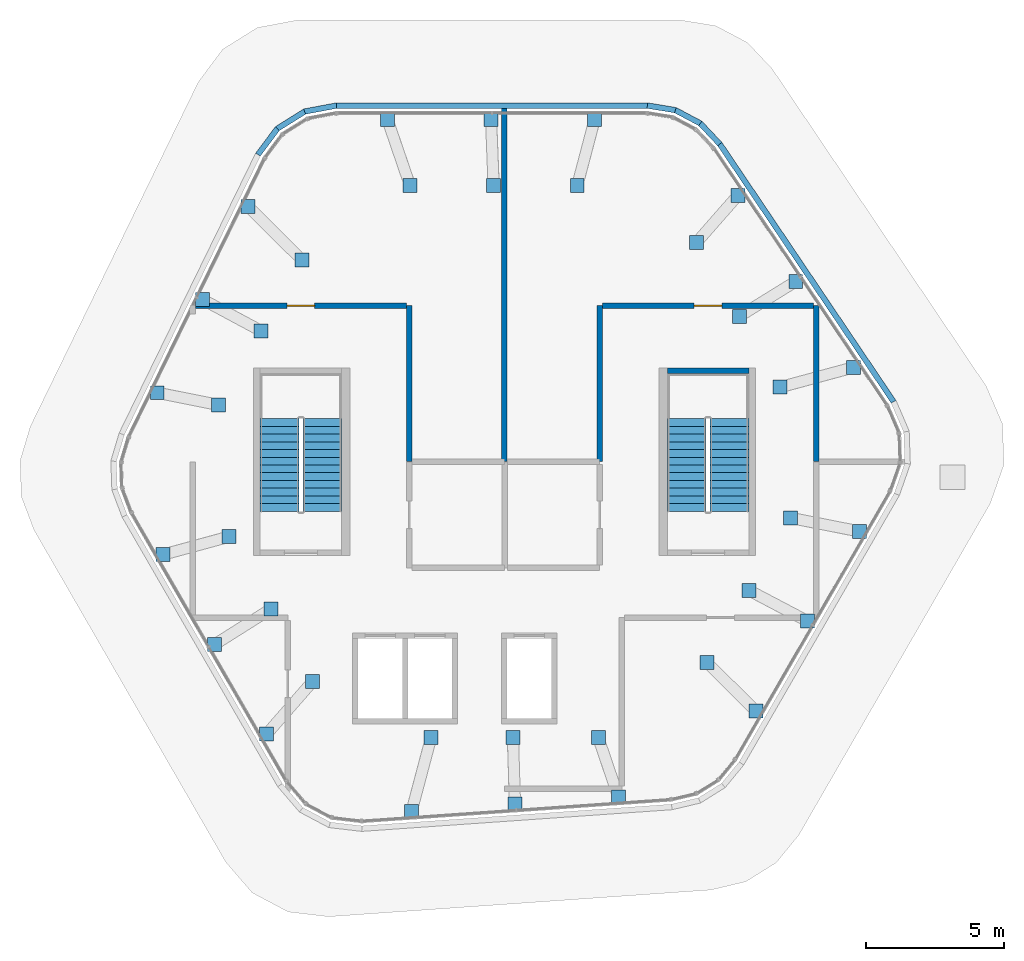
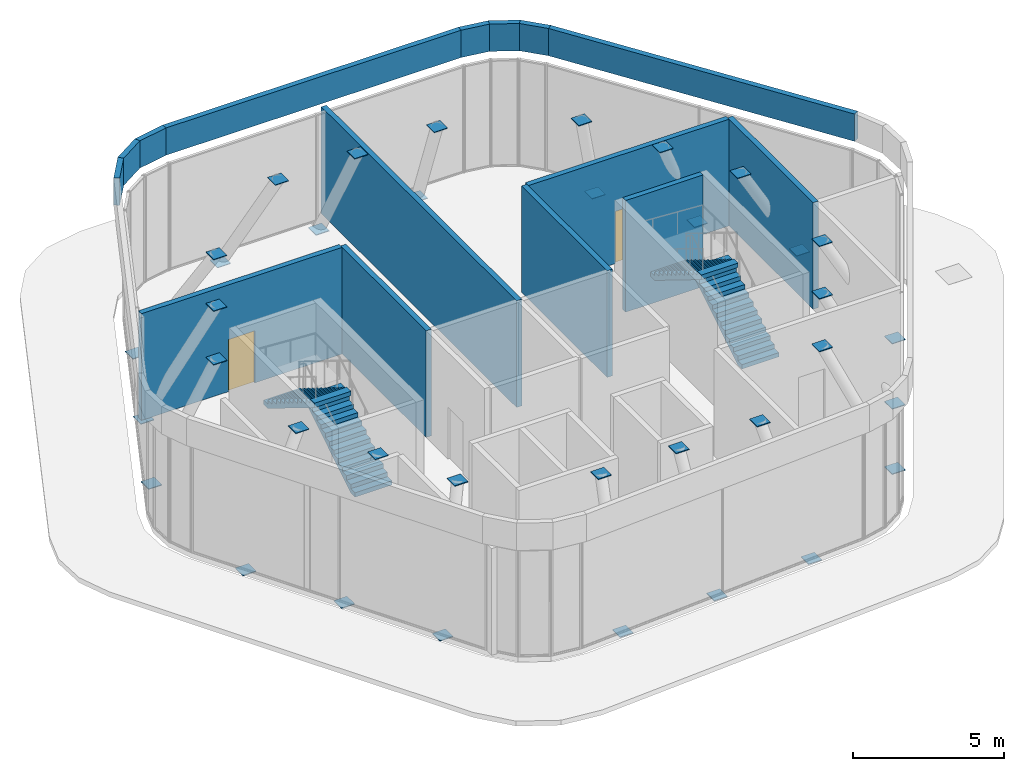
# One storey, part 8 of 9: 36 discrete accessories, 15 walls, 4 stair flights, 2 doors, 2 openings, 2 elements without a shape of their own.
"""IFC4 building model written with IfcOpenShell, lengths in metres."""

from ifc_helpers import new_model, si_unit, direction, frame, frame_2d, origin, origin_2d, place, context, subcontext, project, spatial, polyline, rectangle, outline, extrude, material, layer, layer_set, type_object, element, fill, aggregate, save


model = new_model("IFC4")

# Units and contexts
model_context = context("Model", 3, precision=1e-05, world=origin(), true_north=direction((0.0, 1.0)))
body_context = subcontext(model_context, "Body", "Model", "MODEL_VIEW")
ifc_project = project(units=[si_unit("LENGTHUNIT", "METRE"), si_unit("AREAUNIT", "SQUARE_METRE"), si_unit("VOLUMEUNIT", "CUBIC_METRE"), si_unit("PLANEANGLEUNIT", "RADIAN"), si_unit("MASSUNIT", "GRAM", prefix="KILO")], contexts=[model_context])

# Site, building, storey
site_placement = place(None, origin())
site = spatial("IfcSite", under=ifc_project, at=site_placement, CompositionType="ELEMENT")
building_placement = place(site_placement, origin())
building = spatial("IfcBuilding", under=site, at=building_placement, Name="Tarnside Tower", CompositionType="ELEMENT")
storey_placement = place(building_placement, frame((0.0, 0.0, 401.699951171875)))
storey = spatial("IfcBuildingStorey", under=building, at=storey_placement, Name="L95", CompositionType="ELEMENT", Elevation=401.699951171875)

# Walls
ifc_material_1 = material(Name="Concrete C40/50", Category="concrete")
ifc_layer_1 = layer(ifc_material_1, 0.199951171875)
ifc_layer_set_1 = layer_set([ifc_layer_1], Name="Lift shaft wall 200 C40/50")
wall_type_1 = type_object("IfcWallType", Name="Lift shaft wall 200 C40/50", PredefinedType="SHEAR", material=ifc_layer_set_1)
wall_1_placement = place(storey_placement, frame((5.89990234375, 3.300048828125, -0.199951171875), z_axis=(0.0, 0.0, 1.0), x_axis=(1.0, 0.0, 0.0)))
element("IfcWall", 1, at=wall_1_placement, inside=storey, type_object=wall_type_1, Name="L95 stair 1 enclosure cap wall n", PredefinedType="SHEAR", context=body_context, shape_type="SweptSolid", body=[
    extrude(rectangle(XDim=2.9501953125, YDim=0.199951171875, at=frame_2d((1.47509765625, 0.0))), origin(), (0.0, 0.0, 1.0), 4.5),
])
ifc_material_2 = material(Name="Concrete C35/45 precast", Category="concrete")
ifc_layer_2 = layer(ifc_material_2, 0.199951171875)
ifc_layer_set_2 = layer_set([ifc_layer_2], Name="Parapet 200 x 1100")
wall_type_2 = type_object("IfcWallType", Name="Parapet 200 x 1100", PredefinedType="PARAPET", material=ifc_layer_set_2)
wall_2_placement = place(storey_placement, frame((5.176025390625, 12.89990234375, 4.5), z_axis=(0.0, 0.0, 1.0), x_axis=(0.986756818481, -0.162206600298, 0.0)))
element("IfcWall", 2, at=wall_2_placement, inside=storey, type_object=wall_type_2, Name="Roof parapet 01", PredefinedType="PARAPET", context=body_context, shape_type="SweptSolid", body=[
    extrude(outline(polyline([(0.008056640625, -0.10009765625), (1.01318359375, -0.10009765625), (1.0458984375, 0.10009765625), (-0.008056640625, 0.10009765625), (0.008056640625, -0.10009765625)])), origin(), (0.0, 0.0, 1.0), 1.10009765625),
])
wall_3_placement = place(storey_placement, frame((6.19189453125, 12.73291015625, 4.5), z_axis=(0.0, 0.0, 1.0), x_axis=(0.883060001067, -0.469260092608, 0.0)))
element("IfcWall", 3, at=wall_3_placement, inside=storey, type_object=wall_type_2, Name="Roof parapet 02", PredefinedType="PARAPET", context=body_context, shape_type="SweptSolid", body=[
    extrude(outline(polyline([(0.016357421875, -0.10009765625), (1.0048828125, -0.10009765625), (1.03759765625, 0.10009765625), (-0.016357421875, 0.10009765625), (0.016357421875, -0.10009765625)])), origin(), (0.0, 0.0, 1.0), 1.10009765625),
])
wall_4_placement = place(storey_placement, frame((7.09375, 12.253662109375, 4.5), z_axis=(0.0, 0.0, 1.0), x_axis=(0.686177819421, -0.727433845882, 0.0)))
element("IfcWall", 4, at=wall_4_placement, inside=storey, type_object=wall_type_2, Name="Roof parapet 03", PredefinedType="PARAPET", context=body_context, shape_type="SweptSolid", body=[
    extrude(outline(polyline([(0.016357421875, -0.10009765625), (1.021728515625, -0.10009765625), (1.037841796875, 0.10009765625), (-0.016357421875, 0.10009765625), (0.016357421875, -0.10009765625)])), origin(), (0.0, 0.0, 1.0), 1.10009765625),
])
wall_5_placement = place(storey_placement, frame((7.80029296875, 11.504638671875, 4.5), z_axis=(0.0, 0.0, 1.0), x_axis=(0.559185688325, -0.829042439186, 0.0)))
element("IfcWall", 5, at=wall_5_placement, inside=storey, type_object=wall_type_2, Name="Roof parapet 04", PredefinedType="PARAPET", context=body_context, shape_type="SweptSolid", body=[
    extrude(outline(polyline([(0.008056640625, -0.10009765625), (11.249755859375, -0.10009765625), (11.268310546875, 0.10009765625), (-0.008056640625, 0.10009765625), (0.008056640625, -0.10009765625)])), origin(), (0.0, 0.0, 1.0), 1.10009765625),
])
wall_6_placement = place(storey_placement, frame((-8.927734375, 11.12255859375, 4.5), z_axis=(0.0, 0.0, 1.0), x_axis=(0.597203575661, 0.802089701479, 0.0)))
element("IfcWall", 6, at=wall_6_placement, inside=storey, type_object=wall_type_2, Name="Roof parapet 21", PredefinedType="PARAPET", context=body_context, shape_type="SweptSolid", body=[
    extrude(outline(polyline([(0.00927734375, -0.10009765625), (1.156005859375, -0.10009765625), (1.193603515625, 0.10009765625), (-0.00927734375, 0.10009765625), (0.00927734375, -0.10009765625)])), origin(), (0.0, 0.0, 1.0), 1.10009765625),
])
wall_7_placement = place(storey_placement, frame((-8.22607421875, 12.06494140625, 4.5), z_axis=(0.0, 0.0, 1.0), x_axis=(0.847998304005, 0.529998940003, 0.0)))
element("IfcWall", 7, at=wall_7_placement, inside=storey, type_object=wall_type_2, Name="Roof parapet 22", PredefinedType="PARAPET", context=body_context, shape_type="SweptSolid", body=[
    extrude(outline(polyline([(0.018798828125, -0.10009765625), (1.146728515625, -0.10009765625), (1.184326171875, 0.10009765625), (-0.018798828125, 0.10009765625), (0.018798828125, -0.10009765625)])), origin(), (0.0, 0.0, 1.0), 1.10009765625),
])
wall_8_placement = place(storey_placement, frame((-7.23779296875, 12.6826171875, 4.5), z_axis=(0.0, 0.0, 1.0), x_axis=(0.982747274219, 0.184953494196, 0.0)))
element("IfcWall", 8, at=wall_8_placement, inside=storey, type_object=wall_type_2, Name="Roof parapet 23", PredefinedType="PARAPET", context=body_context, shape_type="SweptSolid", body=[
    extrude(outline(polyline([(0.018798828125, -0.10009765625), (1.16552734375, -0.10009765625), (1.18408203125, 0.10009765625), (-0.018798828125, 0.10009765625), (0.018798828125, -0.10009765625)])), origin(), (0.0, 0.0, 1.0), 1.10009765625),
])
wall_9_placement = place(storey_placement, frame((-6.083251953125, 12.89990234375, 4.5), z_axis=(0.0, 0.0, 1.0), x_axis=(1.0, 0.0, 0.0)))
element("IfcWall", 9, at=wall_9_placement, inside=storey, type_object=wall_type_2, Name="Roof parapet 24", PredefinedType="PARAPET", context=body_context, shape_type="SweptSolid", body=[
    extrude(outline(polyline([(0.00927734375, -0.10009765625), (11.251220703125, -0.10009765625), (11.267333984375, 0.10009765625), (-0.00927734375, 0.10009765625), (0.00927734375, -0.10009765625)])), origin(), (0.0, 0.0, 1.0), 1.10009765625),
])
ifc_material_3 = material(Name="Concrete C32/40", Category="concrete")
ifc_layer_3 = layer(ifc_material_3, 0.199951171875)
ifc_layer_set_3 = layer_set([ifc_layer_3], Name="Wall 200 reinforced Concrete C32/40")
wall_type_3 = type_object("IfcWallType", Name="Wall 200 reinforced Concrete C32/40", PredefinedType="PARTITIONING", material=ifc_layer_set_3)
wall_10_placement = place(storey_placement, frame((-3.449951171875, 0.0029296875, 0.0), z_axis=(0.0, 0.0, 1.0), x_axis=(0.0, 1.0, 0.0)))
element("IfcWall", 10, at=wall_10_placement, inside=storey, type_object=wall_type_3, Name="Partition 006", PredefinedType="PARTITIONING", context=body_context, shape_type="SweptSolid", body=[
    extrude(rectangle(XDim=5.64697265625, YDim=0.199951171875, at=frame_2d((2.823486328125, 0.0))), origin(), (0.0, 0.0, 1.0), 4.300048828125),
])

# Wall, opening, door
wall_11_placement = place(storey_placement, frame((-11.199951171875, 5.64990234375, 0.0), z_axis=(0.0, 0.0, 1.0), x_axis=(1.0, 0.0, 0.0)))
wall_11 = element("IfcWall", 11, at=wall_11_placement, inside=storey, type_object=wall_type_3, Name="Partition 007", PredefinedType="PARTITIONING", context=body_context, shape_type="SweptSolid", body=[
    extrude(rectangle(XDim=7.64990234375, YDim=0.199951171875, at=frame_2d((3.824951171875, 0.0))), origin(), (0.0, 0.0, 1.0), 4.300048828125),
])
opening_1_placement = place(wall_11_placement, frame((3.324951171875, 0.0, 0.0)))
opening_1 = element("IfcOpeningElement", 12, at=opening_1_placement, cuts=wall_11, Name="Opening D1000F60", PredefinedType="OPENING", context=body_context, shape_type="SweptSolid", body=[
    extrude(rectangle(XDim=1.0, YDim=2.10009765625, at=frame_2d((0.5, 1.050048828125))), frame((0.0, 0.10986328125, 0.0), z_axis=(0.0, -1.0, 0.0), x_axis=(1.0, 0.0, 0.0)), (0.0, 0.0, 1.0), 0.219970703125),
])
ifc_material_4 = material(Name="Timber door leaf", Category="wood")
door_type = type_object("IfcDoorType", Name="Door 1000 x 2100 single leaf FD60 fire door", OperationType="NOTDEFINED", PredefinedType="DOOR", material=ifc_material_4)
door_1_placement = place(opening_1_placement, origin())
door_1 = element("IfcDoor", 13, at=door_1_placement, inside=storey, type_object=door_type, Name="Door L95-03", OperationType="SINGLE_SWING_RIGHT", OverallHeight=2.10009765625, OverallWidth=1.0, PredefinedType="DOOR", context=body_context, shape_type="SweptSolid", body=[
    extrude(rectangle(XDim=1.0, YDim=2.10009765625, at=frame_2d((0.5, 1.050048828125))), frame((0.0, 0.02490234375, 0.0), z_axis=(0.0, -1.0, 0.0), x_axis=(1.0, 0.0, 0.0)), (0.0, 0.0, 1.0), 0.050048828125),
])
fill(opening_1, door_1)

# Walls
wall_12_placement = place(storey_placement, frame((-0.0029296875, 12.89990234375, 0.0), z_axis=(0.0, 0.0, 1.0), x_axis=(0.0, -1.0, 0.0)))
element("IfcWall", 14, at=wall_12_placement, inside=storey, type_object=wall_type_3, Name="Partition 009", PredefinedType="PARTITIONING", context=body_context, shape_type="SweptSolid", body=[
    extrude(rectangle(XDim=12.89697265625, YDim=0.199951171875, at=frame_2d((6.448486328125, 0.0))), origin(), (0.0, 0.0, 1.0), 4.300048828125),
])
for number, where, z_axis, x_axis, name in (
    (15, (3.449951171875, 5.64990234375, 0.0), (0.0, 0.0, 1.0), (0.0, -1.0, 0.0), "Partition 015"),
    (16, (11.300048828125, 0.0029296875, 0.0), (0.0, 0.0, 1.0), (0.0, 1.0, 0.0), "Partition 020"),
):
    element("IfcWall", number, at=place(storey_placement, frame(where, z_axis=z_axis, x_axis=x_axis)), inside=storey, type_object=wall_type_3, Name=name, PredefinedType="PARTITIONING", context=body_context, shape_type="SweptSolid", body=[
        extrude(rectangle(XDim=5.64697265625, YDim=0.199951171875, at=frame_2d((2.823486328125, 0.0))), origin(), (0.0, 0.0, 1.0), 4.300048828125),
    ])

# Wall, opening, door
wall_13_placement = place(storey_placement, frame((3.550048828125, 5.64990234375, 0.0), z_axis=(0.0, 0.0, 1.0), x_axis=(1.0, 0.0, 0.0)))
wall_13 = element("IfcWall", 17, at=wall_13_placement, inside=storey, type_object=wall_type_3, Name="Partition 021", PredefinedType="PARTITIONING", context=body_context, shape_type="SweptSolid", body=[
    extrude(rectangle(XDim=7.64990234375, YDim=0.199951171875, at=frame_2d((3.824951171875, 0.0))), origin(), (0.0, 0.0, 1.0), 4.300048828125),
])
opening_2_placement = place(wall_13_placement, frame((3.324951171875, 0.0, 0.0)))
opening_2 = element("IfcOpeningElement", 18, at=opening_2_placement, cuts=wall_13, Name="Opening D1000F60", PredefinedType="OPENING", context=body_context, shape_type="SweptSolid", body=[
    extrude(rectangle(XDim=1.0, YDim=2.10009765625, at=frame_2d((0.5, 1.050048828125))), frame((0.0, 0.10986328125, 0.0), z_axis=(0.0, -1.0, 0.0), x_axis=(1.0, 0.0, 0.0)), (0.0, 0.0, 1.0), 0.219970703125),
])
door_2_placement = place(opening_2_placement, origin())
door_2 = element("IfcDoor", 19, at=door_2_placement, inside=storey, type_object=door_type, Name="Door L95-06", OperationType="SINGLE_SWING_LEFT", OverallHeight=2.10009765625, OverallWidth=1.0, PredefinedType="DOOR", context=body_context, shape_type="SweptSolid", body=[
    extrude(rectangle(XDim=1.0, YDim=2.10009765625, at=frame_2d((0.5, 1.050048828125))), frame((0.0, 0.02490234375, 0.0), z_axis=(0.0, -1.0, 0.0), x_axis=(1.0, 0.0, 0.0)), (0.0, 0.0, 1.0), 0.050048828125),
])
fill(opening_2, door_2)

# Stair, stair flights
stair_type = type_object("IfcStairType", Name="Exit stair 1400 clear", PredefinedType="HALF_TURN_STAIR", material=ifc_material_1)
stair_1_placement = place(storey_placement, origin())
stair_1 = element("IfcStair", 20, at=stair_1_placement, inside=storey, type_object=stair_type, Name="L95 Exit stair 1", PredefinedType="HALF_TURN_STAIR")
stair_flight_type = type_object("IfcStairFlightType", Name="Exit stair flight 1400", PredefinedType="STRAIGHT", material=ifc_material_1)
stair_flight_1_placement = place(storey_placement, frame((8.14990234375, -1.800048828125, 0.0), z_axis=(0.0, 0.0, 1.0), x_axis=(0.0, 1.0, 0.0)))
stair_flight_1 = element("IfcStairFlight", 21, at=stair_flight_1_placement, type_object=stair_flight_type, Name="ST1 flight 1", NumberOfRisers=13, NumberOfTreads=12, PredefinedType="STRAIGHT", RiserHeight=0.173076923, TreadLength=0.28, context=body_context, shape_type="SweptSolid", body=[
    extrude(outline(polyline([(0.0, 0.0), (0.0, 0.173095703125), (0.280029296875, 0.173095703125), (0.280029296875, 0.34619140625), (0.56005859375, 0.34619140625), (0.56005859375, 0.519287109375), (0.840087890625, 0.519287109375), (0.840087890625, 0.6923828125), (1.1201171875, 0.6923828125), (1.1201171875, 0.865478515625), (1.39990234375, 0.865478515625), (1.39990234375, 1.03857421875), (1.679931640625, 1.03857421875), (1.679931640625, 1.21142578125), (1.9599609375, 1.21142578125), (1.9599609375, 1.384521484375), (2.239990234375, 1.384521484375), (2.239990234375, 1.5576171875), (2.52001953125, 1.5576171875), (2.52001953125, 1.730712890625), (2.800048828125, 1.730712890625), (2.800048828125, 1.90380859375), (3.080078125, 1.90380859375), (3.080078125, 2.076904296875), (3.360107421875, 2.076904296875), (3.360107421875, 2.25), (3.360107421875, 1.900634765625), (0.28515625, 0.0), (0.0, 0.0)])), frame((0.0, 0.699951171875, 0.0), z_axis=(0.0, -1.0, 0.0), x_axis=(1.0, 0.0, 0.0)), (0.0, 0.0, 1.0), 1.39990234375),
])
stair_flight_2_placement = place(storey_placement, frame((6.60009765625, 1.56005859375, 2.25), z_axis=(0.0, 0.0, 1.0), x_axis=(0.0, -1.0, 0.0)))
stair_flight_2 = element("IfcStairFlight", 22, at=stair_flight_2_placement, type_object=stair_flight_type, Name="ST1 flight 2", NumberOfRisers=13, NumberOfTreads=12, PredefinedType="STRAIGHT", RiserHeight=0.173076923, TreadLength=0.28, context=body_context, shape_type="SweptSolid", body=[
    extrude(outline(polyline([(0.0, 0.0), (0.0, 0.173095703125), (0.280029296875, 0.173095703125), (0.280029296875, 0.34619140625), (0.56005859375, 0.34619140625), (0.56005859375, 0.519287109375), (0.840087890625, 0.519287109375), (0.840087890625, 0.6923828125), (1.1201171875, 0.6923828125), (1.1201171875, 0.865478515625), (1.39990234375, 0.865478515625), (1.39990234375, 1.03857421875), (1.679931640625, 1.03857421875), (1.679931640625, 1.21142578125), (1.9599609375, 1.21142578125), (1.9599609375, 1.384521484375), (2.239990234375, 1.384521484375), (2.239990234375, 1.5576171875), (2.52001953125, 1.5576171875), (2.52001953125, 1.730712890625), (2.800048828125, 1.730712890625), (2.800048828125, 1.90380859375), (3.080078125, 1.90380859375), (3.080078125, 2.076904296875), (3.360107421875, 2.076904296875), (3.360107421875, 2.25), (3.360107421875, 1.900634765625), (0.28515625, 0.0), (0.0, 0.0)])), frame((0.0, 0.699951171875, 0.0), z_axis=(0.0, -1.0, 0.0), x_axis=(1.0, 0.0, 0.0)), (0.0, 0.0, 1.0), 1.39990234375),
])
aggregate(stair_1, [stair_flight_1, stair_flight_2])

stair_2_placement = place(storey_placement, origin())
stair_2 = element("IfcStair", 23, at=stair_2_placement, inside=storey, type_object=stair_type, Name="L95 Exit stair 2", PredefinedType="HALF_TURN_STAIR")
stair_flight_3_placement = place(storey_placement, frame((-6.60009765625, -1.800048828125, 0.0), z_axis=(0.0, 0.0, 1.0), x_axis=(0.0, 1.0, 0.0)))
stair_flight_3 = element("IfcStairFlight", 24, at=stair_flight_3_placement, type_object=stair_flight_type, Name="ST2 flight 1", NumberOfRisers=13, NumberOfTreads=12, PredefinedType="STRAIGHT", RiserHeight=0.173076923, TreadLength=0.28, context=body_context, shape_type="SweptSolid", body=[
    extrude(outline(polyline([(0.0, 0.0), (0.0, 0.173095703125), (0.280029296875, 0.173095703125), (0.280029296875, 0.34619140625), (0.56005859375, 0.34619140625), (0.56005859375, 0.519287109375), (0.840087890625, 0.519287109375), (0.840087890625, 0.6923828125), (1.1201171875, 0.6923828125), (1.1201171875, 0.865478515625), (1.39990234375, 0.865478515625), (1.39990234375, 1.03857421875), (1.679931640625, 1.03857421875), (1.679931640625, 1.21142578125), (1.9599609375, 1.21142578125), (1.9599609375, 1.384521484375), (2.239990234375, 1.384521484375), (2.239990234375, 1.5576171875), (2.52001953125, 1.5576171875), (2.52001953125, 1.730712890625), (2.800048828125, 1.730712890625), (2.800048828125, 1.90380859375), (3.080078125, 1.90380859375), (3.080078125, 2.076904296875), (3.360107421875, 2.076904296875), (3.360107421875, 2.25), (3.360107421875, 1.900634765625), (0.28515625, 0.0), (0.0, 0.0)])), frame((0.0, 0.699951171875, 0.0), z_axis=(0.0, -1.0, 0.0), x_axis=(1.0, 0.0, 0.0)), (0.0, 0.0, 1.0), 1.39990234375),
])
stair_flight_4_placement = place(storey_placement, frame((-8.14990234375, 1.56005859375, 2.25), z_axis=(0.0, 0.0, 1.0), x_axis=(0.0, -1.0, 0.0)))
stair_flight_4 = element("IfcStairFlight", 25, at=stair_flight_4_placement, type_object=stair_flight_type, Name="ST2 flight 2", NumberOfRisers=13, NumberOfTreads=12, PredefinedType="STRAIGHT", RiserHeight=0.173076923, TreadLength=0.28, context=body_context, shape_type="SweptSolid", body=[
    extrude(outline(polyline([(0.0, 0.0), (0.0, 0.173095703125), (0.280029296875, 0.173095703125), (0.280029296875, 0.34619140625), (0.56005859375, 0.34619140625), (0.56005859375, 0.519287109375), (0.840087890625, 0.519287109375), (0.840087890625, 0.6923828125), (1.1201171875, 0.6923828125), (1.1201171875, 0.865478515625), (1.39990234375, 0.865478515625), (1.39990234375, 1.03857421875), (1.679931640625, 1.03857421875), (1.679931640625, 1.21142578125), (1.9599609375, 1.21142578125), (1.9599609375, 1.384521484375), (2.239990234375, 1.384521484375), (2.239990234375, 1.5576171875), (2.52001953125, 1.5576171875), (2.52001953125, 1.730712890625), (2.800048828125, 1.730712890625), (2.800048828125, 1.90380859375), (3.080078125, 1.90380859375), (3.080078125, 2.076904296875), (3.360107421875, 2.076904296875), (3.360107421875, 2.25), (3.360107421875, 1.900634765625), (0.28515625, 0.0), (0.0, 0.0)])), frame((0.0, 0.699951171875, 0.0), z_axis=(0.0, -1.0, 0.0), x_axis=(1.0, 0.0, 0.0)), (0.0, 0.0, 1.0), 1.39990234375),
])
aggregate(stair_2, [stair_flight_3, stair_flight_4])

# Discrete accessories
ifc_material_5 = material(Name="Steel S355", Category="steel")
discrete_accessory_type = type_object("IfcDiscreteAccessoryType", Name="Gusset plate L95 crown leg end", PredefinedType="USERDEFINED", material=ifc_material_5)
for number, where, z_axis, x_axis, name in (
    (26, (3.269287109375, 12.39990234375, -0.21484375), (0.0, 0.0, 1.0), (1.0, 0.0, 0.0), "Gusset plate 1 base L95"),
    (27, (2.636474609375, 10.0, 4.28515625), (0.0, 0.0, 1.0), (1.0, 0.0, 0.0), "Gusset plate 1 head L95"),
    (28, (-0.48583984375, 12.39990234375, -0.21484375), (0.0, 0.0, 1.0), (1.0, 0.0, 0.0), "Gusset plate 2 base L95"),
    (29, (-0.391845703125, 10.0, 4.28515625), (0.0, 0.0, 1.0), (1.0, 0.0, 0.0), "Gusset plate 2 head L95"),
    (30, (-4.2412109375, 12.39990234375, -0.21484375), (0.0, 0.0, 1.0), (1.0, 0.0, 0.0), "Gusset plate 3 base L95"),
    (31, (-3.420166015625, 10.0, 4.28515625), (0.0, 0.0, 1.0), (1.0, 0.0, 0.0), "Gusset plate 3 head L95"),
    (32, (-9.285888671875, 9.247802734375, -0.21484375), (0.0, 0.0, 1.0), (1.0, 0.0, 0.0), "Gusset plate 4 base L95"),
    (33, (-7.33154296875, 7.301513671875, 4.28515625), (0.0, 0.0, 1.0), (1.0, 0.0, 0.0), "Gusset plate 4 head L95"),
    (34, (-10.93212890625, 5.87255859375, -0.21484375), (0.0, 0.0, 1.0), (1.0, 0.0, 0.0), "Gusset plate 5 base L95"),
    (35, (-8.813720703125, 4.734619140625, 4.28515625), (0.0, 0.0, 1.0), (1.0, 0.0, 0.0), "Gusset plate 5 head L95"),
    (36, (-12.578125, 2.497314453125, -0.21484375), (0.0, 0.0, 1.0), (1.0, 0.0, 0.0), "Gusset plate 6 base L95"),
    (37, (-10.359619140625, 2.056884765625, 4.28515625), (0.0, 0.0, 1.0), (1.0, 0.0, 0.0), "Gusset plate 6 head L95"),
    (38, (-12.373291015625, -3.36865234375, -0.21484375), (0.0, 0.0, 1.0), (1.0, 0.0, 0.0), "Gusset plate 7 base L95"),
    (39, (-9.978515625, -2.716796875, 4.28515625), (0.0, 0.0, 1.0), (1.0, 0.0, 0.0), "Gusset plate 7 head L95"),
    (40, (-10.495849609375, -6.620849609375, -0.21484375), (0.0, 0.0, 1.0), (1.0, 0.0, 0.0), "Gusset plate 8 base L95"),
    (41, (-8.46435546875, -5.33935546875, 4.28515625), (0.0, 0.0, 1.0), (1.0, 0.0, 0.0), "Gusset plate 8 head L95"),
    (42, (-8.6181640625, -9.872802734375, -0.21484375), (0.0, 0.0, 1.0), (1.0, 0.0, 0.0), "Gusset plate 9 base L95"),
    (43, (-6.9501953125, -7.9619140625, 4.28515625), (0.0, 0.0, 1.0), (1.0, 0.0, 0.0), "Gusset plate 9 head L95"),
    (44, (-3.36572265625, -12.66552734375, -0.21484375), (0.0, 0.0, 1.0), (1.0, 0.0, 0.0), "Gusset plate 10 base L95"),
    (45, (-2.657470703125, -10.0, 4.28515625), (0.0, 0.0, 1.0), (1.0, 0.0, 0.0), "Gusset plate 10 head L95"),
    (46, (0.38037109375, -12.40380859375, -0.21484375), (0.0, 0.0, 1.0), (1.0, 0.0, 0.0), "Gusset plate 11 base L95"),
    (47, (0.306640625, -10.0, 4.28515625), (0.0, 0.0, 1.0), (1.0, 0.0, 0.0), "Gusset plate 11 head L95"),
    (48, (4.126220703125, -12.1416015625, -0.21484375), (0.0, 0.0, 1.0), (1.0, 0.0, 0.0), "Gusset plate 12 base L95"),
    (49, (3.3984375, -10.0, 4.28515625), (0.0, 0.0, 1.0), (1.0, 0.0, 0.0), "Gusset plate 12 head L95"),
    (50, (9.10400390625, -9.03125, -0.21484375), (0.0, 0.0, 1.0), (1.0, 0.0, 0.0), "Gusset plate 13 base L95"),
    (51, (7.342041015625, -7.283203125, 4.28515625), (0.0, 0.0, 1.0), (1.0, 0.0, 0.0), "Gusset plate 13 head L95"),
    (52, (10.981689453125, -5.779296875, -0.21484375), (0.0, 0.0, 1.0), (1.0, 0.0, 0.0), "Gusset plate 14 base L95"),
    (53, (8.856201171875, -4.66064453125, 4.28515625), (0.0, 0.0, 1.0), (1.0, 0.0, 0.0), "Gusset plate 14 head L95"),
    (54, (12.859375, -2.527099609375, -0.21484375), (0.0, 0.0, 1.0), (1.0, 0.0, 0.0), "Gusset plate 15 base L95"),
    (55, (10.370361328125, -2.0380859375, 4.28515625), (0.0, 0.0, 1.0), (1.0, 0.0, 0.0), "Gusset plate 15 head L95"),
    (56, (12.651611328125, 3.41796875, -0.21484375), (0.0, 0.0, 1.0), (1.0, 0.0, 0.0), "Gusset plate 16 base L95"),
    (57, (9.989013671875, 2.698486328125, 4.28515625), (0.0, 0.0, 1.0), (1.0, 0.0, 0.0), "Gusset plate 16 head L95"),
    (58, (10.5517578125, 6.53125, -0.21484375), (0.0, 0.0, 1.0), (1.0, 0.0, 0.0), "Gusset plate 17 base L95"),
    (59, (8.507080078125, 5.265380859375, 4.28515625), (0.0, 0.0, 1.0), (1.0, 0.0, 0.0), "Gusset plate 17 head L95"),
    (60, (8.451904296875, 9.644287109375, -0.21484375), (0.0, 0.0, 1.0), (1.0, 0.0, 0.0), "Gusset plate 18 base L95"),
    (61, (6.9609375, 7.943115234375, 4.28515625), (0.0, 0.0, 1.0), (1.0, 0.0, 0.0), "Gusset plate 18 head L95"),
):
    element("IfcDiscreteAccessory", number, at=place(storey_placement, frame(where, z_axis=z_axis, x_axis=x_axis)), inside=storey, type_object=discrete_accessory_type, Name=name, ObjectType="Gusset plate", PredefinedType="USERDEFINED", context=body_context, shape_type="SweptSolid", body=[
        extrude(rectangle(XDim=0.50634765625, YDim=0.50634765625, at=origin_2d()), origin(), (0.0, 0.0, 1.0), 0.030029296875),
    ])

save(model, "model.ifc")
